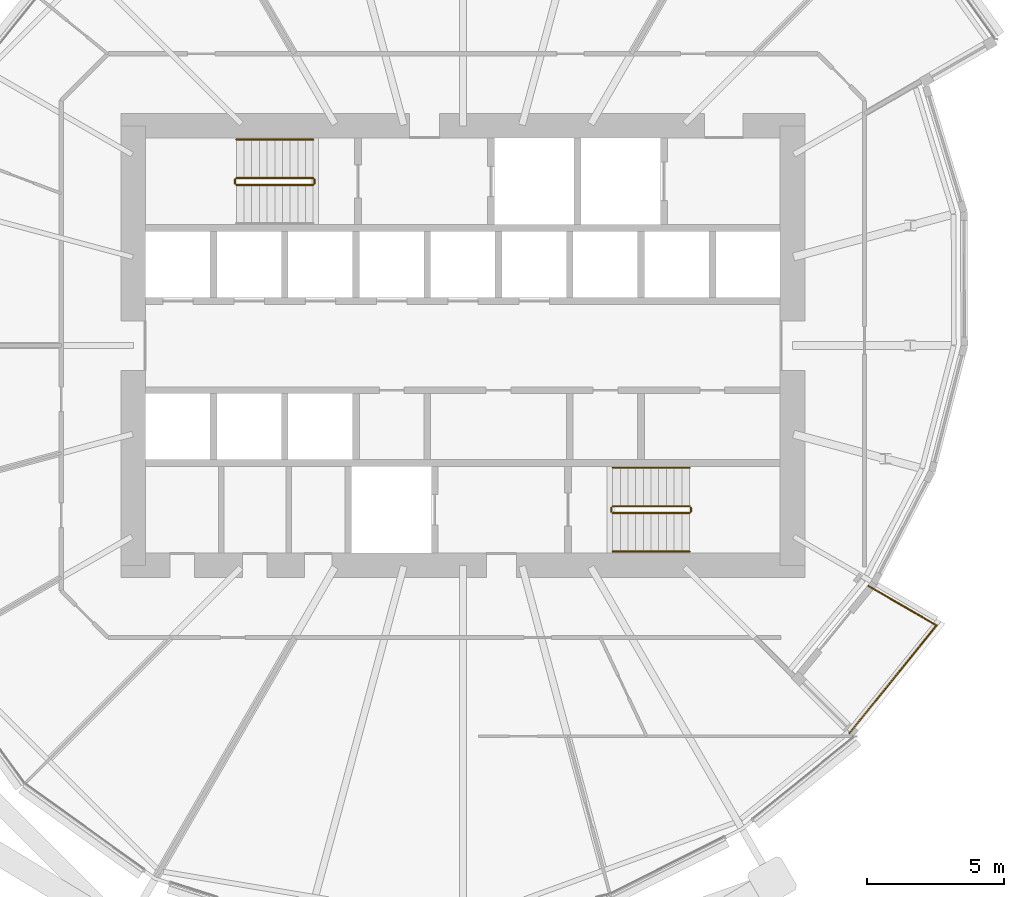
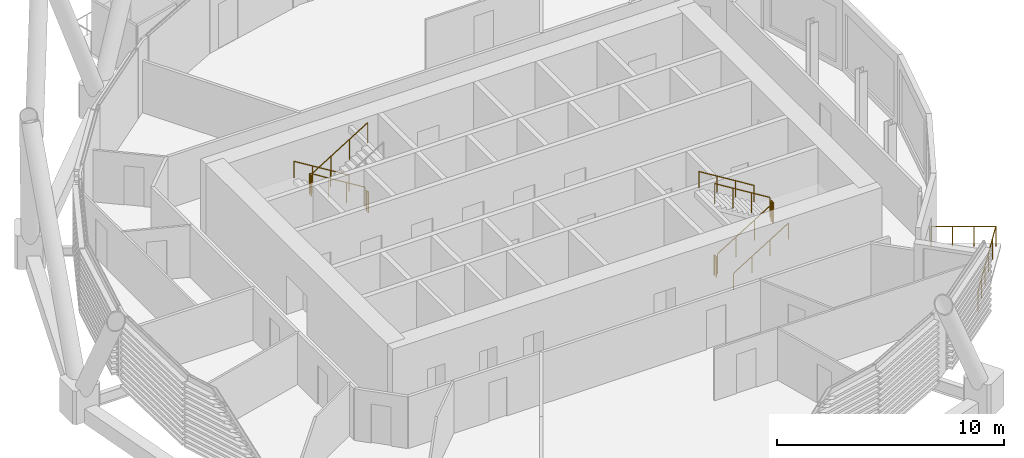
# One storey, part 33 of 34: 12 railings.
"""IFC4 building model written with IfcOpenShell, lengths in metres."""

from ifc_helpers import new_model, si_unit, direction, frame, origin, origin_2d, place, context, subcontext, project, spatial, circle, extrude, material, type_object, element, save


model = new_model("IFC4")

# Units and contexts
model_context = context("Model", 3, precision=1e-05, world=origin(), true_north=direction((0.0, 1.0)))
body_context = subcontext(model_context, "Body", "Model", "MODEL_VIEW")
ifc_project = project(units=[si_unit("LENGTHUNIT", "METRE"), si_unit("AREAUNIT", "SQUARE_METRE"), si_unit("VOLUMEUNIT", "CUBIC_METRE"), si_unit("PLANEANGLEUNIT", "RADIAN"), si_unit("MASSUNIT", "GRAM", prefix="KILO")], contexts=[model_context])

# Site, building, storey
site_placement = place(None, origin())
site = spatial("IfcSite", under=ifc_project, at=site_placement, CompositionType="ELEMENT")
building_placement = place(site_placement, origin())
building = spatial("IfcBuilding", under=site, at=building_placement, Name="Rimbun Link Towers", CompositionType="ELEMENT")
storey_placement = place(building_placement, frame((0.0, 0.0, 41.39990234375)))
storey = spatial("IfcBuildingStorey", under=building, at=storey_placement, Name="L09", CompositionType="ELEMENT", Elevation=41.39990234375)

# Railings
ifc_material_1 = material(Name="Stainless steel grade 316", Category="steel")
railing_type_1 = type_object("IfcRailingType", Name="GUARD stainless rail and posts", PredefinedType="GUARDRAIL", material=ifc_material_1)
railing_1_placement = place(storey_placement, frame((45.826171875, -14.10595703125, 0.0)))
element("IfcRailing", 1, at=railing_1_placement, inside=storey, type_object=railing_type_1, Name="GUARD", PredefinedType="GUARDRAIL", context=body_context, shape_type="SweptSolid", body=[
    extrude(circle(Radius=0.02392578125, at=origin_2d()), frame((0.0, 0.0, 1.076171875), z_axis=(0.629150848284, 0.777283223866, 0.0), x_axis=(-0.777283223866, 0.629150848284, 0.0)), (0.0, 0.0, 1.0), 5.0400390625),
    extrude(circle(Radius=0.02392578125, at=origin_2d()), frame((3.1708984375, 3.91748046875, 1.076171875), z_axis=(-0.866038050133, 0.499978095242, 0.0), x_axis=(-0.499978095242, -0.866038050133, 0.0)), (0.0, 0.0, 1.0), 2.865966796875),
    extrude(circle(Radius=0.02099609375, at=origin_2d()), origin(), (0.0, 0.0, 1.0), 1.052001953125),
    extrude(circle(Radius=0.02099609375, at=origin_2d()), frame((0.63427734375, 0.783447265625, 0.0)), (0.0, 0.0, 1.0), 1.052001953125),
    extrude(circle(Radius=0.02099609375, at=origin_2d()), frame((1.268310546875, 1.56689453125, 0.0)), (0.0, 0.0, 1.0), 1.052001953125),
    extrude(circle(Radius=0.02099609375, at=origin_2d()), frame((1.902587890625, 2.3505859375, 0.0)), (0.0, 0.0, 1.0), 1.052001953125),
    extrude(circle(Radius=0.02099609375, at=origin_2d()), frame((2.53662109375, 3.134033203125, 0.0)), (0.0, 0.0, 1.0), 1.052001953125),
    extrude(circle(Radius=0.02099609375, at=origin_2d()), frame((3.1708984375, 3.91748046875, 0.0)), (0.0, 0.0, 1.0), 1.052001953125),
    extrude(circle(Radius=0.02099609375, at=origin_2d()), frame((2.343505859375, 4.39501953125, 0.0)), (0.0, 0.0, 1.0), 1.052001953125),
    extrude(circle(Radius=0.02099609375, at=origin_2d()), frame((1.516357421875, 4.872802734375, 0.0)), (0.0, 0.0, 1.0), 1.052001953125),
    extrude(circle(Radius=0.02099609375, at=origin_2d()), frame((0.68896484375, 5.350341796875, 0.0)), (0.0, 0.0, 1.0), 1.052001953125),
])
ifc_material_2 = material(Name="Stainless steel grade 316", Category="steel")
railing_type_2 = type_object("IfcRailingType", Name="Stair guard", PredefinedType="GUARDRAIL", material=ifc_material_2)
railing_2_placement = place(storey_placement, frame((26.300048828125, 6.10009765625, 0.1728515625)))
element("IfcRailing", 2, at=railing_2_placement, inside=storey, type_object=railing_type_2, Name="L09 ST3 stair guard 1", PredefinedType="GUARDRAIL", context=body_context, shape_type="SweptSolid", body=[
    extrude(circle(Radius=0.02392578125, at=origin_2d()), frame((0.0, 0.0, 1.076171875), z_axis=(-0.851089632645, 0.0, 0.525020415988), x_axis=(0.0, -1.0, 0.0)), (0.0, 0.0, 1.0), 3.2900390625),
    extrude(circle(Radius=0.02099609375, at=origin_2d()), origin(), (0.0, 0.0, 1.0), 1.052001953125),
    extrude(circle(Radius=0.02099609375, at=origin_2d()), frame((-0.933349609375, 0.0, 0.57568359375)), (0.0, 0.0, 1.0), 1.052001953125),
    extrude(circle(Radius=0.02099609375, at=origin_2d()), frame((-1.86669921875, 0.0, 1.151611328125)), (0.0, 0.0, 1.0), 1.052001953125),
    extrude(circle(Radius=0.02099609375, at=origin_2d()), frame((-2.800048828125, 0.0, 1.727294921875)), (0.0, 0.0, 1.0), 1.052001953125),
])
railing_3_placement = place(storey_placement, frame((23.449951171875, 6.050048828125, 1.900146484375)))
element("IfcRailing", 3, at=railing_3_placement, inside=storey, type_object=railing_type_2, Name="L09 ST3 stair guard 2", PredefinedType="GUARDRAIL", context=body_context, shape_type="SweptSolid", body=[
    extrude(circle(Radius=0.02392578125, at=origin_2d()), frame((0.0, 0.0, 1.076171875), z_axis=(0.0, -1.0, 0.0), x_axis=(1.0, 0.0, 0.0)), (0.0, 0.0, 1.0), 0.150146484375),
    extrude(circle(Radius=0.02099609375, at=origin_2d()), origin(), (0.0, 0.0, 1.0), 1.052001953125),
    extrude(circle(Radius=0.02099609375, at=origin_2d()), frame((0.0, -0.150146484375, 0.0)), (0.0, 0.0, 1.0), 1.052001953125),
])
railing_4_placement = place(storey_placement, frame((23.5, 5.85009765625, 2.07275390625)))
element("IfcRailing", 4, at=railing_4_placement, inside=storey, type_object=railing_type_2, Name="L09 ST3 stair guard 3", PredefinedType="GUARDRAIL", context=body_context, shape_type="SweptSolid", body=[
    extrude(circle(Radius=0.02392578125, at=origin_2d()), frame((0.0, 0.0, 1.076171875), z_axis=(0.851089632645, 0.0, 0.525020415988), x_axis=(0.0, 1.0, 0.0)), (0.0, 0.0, 1.0), 3.2900390625),
    extrude(circle(Radius=0.02099609375, at=origin_2d()), origin(), (0.0, 0.0, 1.0), 1.052001953125),
    extrude(circle(Radius=0.02099609375, at=origin_2d()), frame((0.933349609375, 0.0, 0.57568359375)), (0.0, 0.0, 1.0), 1.052001953125),
    extrude(circle(Radius=0.02099609375, at=origin_2d()), frame((1.86669921875, 0.0, 1.151611328125)), (0.0, 0.0, 1.0), 1.052001953125),
    extrude(circle(Radius=0.02099609375, at=origin_2d()), frame((2.800048828125, 0.0, 1.727294921875)), (0.0, 0.0, 1.0), 1.052001953125),
])
railing_5_placement = place(storey_placement, frame((26.35009765625, 6.050048828125, 0.0)))
element("IfcRailing", 5, at=railing_5_placement, inside=storey, type_object=railing_type_2, Name="L09 ST3 stair guard 4", PredefinedType="GUARDRAIL", context=body_context, shape_type="SweptSolid", body=[
    extrude(circle(Radius=0.02392578125, at=origin_2d()), frame((0.0, 0.0, 1.076171875), z_axis=(0.0, -1.0, 0.0), x_axis=(1.0, 0.0, 0.0)), (0.0, 0.0, 1.0), 0.150146484375),
    extrude(circle(Radius=0.02099609375, at=origin_2d()), origin(), (0.0, 0.0, 1.0), 1.052001953125),
    extrude(circle(Radius=0.02099609375, at=origin_2d()), frame((0.0, -0.150146484375, 0.0)), (0.0, 0.0, 1.0), 1.052001953125),
])
railing_6_placement = place(storey_placement, frame((37.199951171875, -6.10009765625, 0.1728515625)))
element("IfcRailing", 6, at=railing_6_placement, inside=storey, type_object=railing_type_2, Name="L09 ST4 stair guard 1", PredefinedType="GUARDRAIL", context=body_context, shape_type="SweptSolid", body=[
    extrude(circle(Radius=0.02392578125, at=origin_2d()), frame((0.0, 0.0, 1.076171875), z_axis=(0.851089632645, 0.0, 0.525020415988), x_axis=(0.0, 1.0, 0.0)), (0.0, 0.0, 1.0), 3.2900390625),
    extrude(circle(Radius=0.02099609375, at=origin_2d()), origin(), (0.0, 0.0, 1.0), 1.052001953125),
    extrude(circle(Radius=0.02099609375, at=origin_2d()), frame((0.933349609375, 0.0, 0.57568359375)), (0.0, 0.0, 1.0), 1.052001953125),
    extrude(circle(Radius=0.02099609375, at=origin_2d()), frame((1.86669921875, 0.0, 1.151611328125)), (0.0, 0.0, 1.0), 1.052001953125),
    extrude(circle(Radius=0.02099609375, at=origin_2d()), frame((2.800048828125, 0.0, 1.727294921875)), (0.0, 0.0, 1.0), 1.052001953125),
])
railing_7_placement = place(storey_placement, frame((40.050048828125, -6.050048828125, 1.900146484375)))
element("IfcRailing", 7, at=railing_7_placement, inside=storey, type_object=railing_type_2, Name="L09 ST4 stair guard 2", PredefinedType="GUARDRAIL", context=body_context, shape_type="SweptSolid", body=[
    extrude(circle(Radius=0.02392578125, at=origin_2d()), frame((0.0, 0.0, 1.076171875), z_axis=(0.0, 1.0, 0.0), x_axis=(-1.0, 0.0, 0.0)), (0.0, 0.0, 1.0), 0.150146484375),
    extrude(circle(Radius=0.02099609375, at=origin_2d()), origin(), (0.0, 0.0, 1.0), 1.052001953125),
    extrude(circle(Radius=0.02099609375, at=origin_2d()), frame((0.0, 0.150146484375, 0.0)), (0.0, 0.0, 1.0), 1.052001953125),
])
railing_8_placement = place(storey_placement, frame((40.0, -5.85009765625, 2.07275390625)))
element("IfcRailing", 8, at=railing_8_placement, inside=storey, type_object=railing_type_2, Name="L09 ST4 stair guard 3", PredefinedType="GUARDRAIL", context=body_context, shape_type="SweptSolid", body=[
    extrude(circle(Radius=0.02392578125, at=origin_2d()), frame((0.0, 0.0, 1.076171875), z_axis=(-0.851089632645, 0.0, 0.525020415988), x_axis=(0.0, -1.0, 0.0)), (0.0, 0.0, 1.0), 3.2900390625),
    extrude(circle(Radius=0.02099609375, at=origin_2d()), origin(), (0.0, 0.0, 1.0), 1.052001953125),
    extrude(circle(Radius=0.02099609375, at=origin_2d()), frame((-0.933349609375, 0.0, 0.57568359375)), (0.0, 0.0, 1.0), 1.052001953125),
    extrude(circle(Radius=0.02099609375, at=origin_2d()), frame((-1.86669921875, 0.0, 1.151611328125)), (0.0, 0.0, 1.0), 1.052001953125),
    extrude(circle(Radius=0.02099609375, at=origin_2d()), frame((-2.800048828125, 0.0, 1.727294921875)), (0.0, 0.0, 1.0), 1.052001953125),
])
railing_9_placement = place(storey_placement, frame((37.14990234375, -6.050048828125, 0.0)))
element("IfcRailing", 9, at=railing_9_placement, inside=storey, type_object=railing_type_2, Name="L09 ST4 stair guard 4", PredefinedType="GUARDRAIL", context=body_context, shape_type="SweptSolid", body=[
    extrude(circle(Radius=0.02392578125, at=origin_2d()), frame((0.0, 0.0, 1.076171875), z_axis=(0.0, 1.0, 0.0), x_axis=(-1.0, 0.0, 0.0)), (0.0, 0.0, 1.0), 0.150146484375),
    extrude(circle(Radius=0.02099609375, at=origin_2d()), origin(), (0.0, 0.0, 1.0), 1.052001953125),
    extrude(circle(Radius=0.02099609375, at=origin_2d()), frame((0.0, 0.150146484375, 0.0)), (0.0, 0.0, 1.0), 1.052001953125),
])
ifc_material_3 = material(Name="Stainless steel grade 316", Category="steel")
railing_type_3 = type_object("IfcRailingType", Name="Stair handrail", PredefinedType="HANDRAIL", material=ifc_material_3)
railing_10_placement = place(storey_placement, frame((26.300048828125, 7.5, 0.1728515625)))
element("IfcRailing", 10, at=railing_10_placement, inside=storey, type_object=railing_type_3, Name="L09 ST3 stair handrail 1", PredefinedType="HANDRAIL", context=body_context, shape_type="SweptSolid", body=[
    extrude(circle(Radius=0.02392578125, at=origin_2d()), frame((0.0, 0.0, 0.8759765625), z_axis=(-0.851089632645, 0.0, 0.525020415988), x_axis=(0.0, -1.0, 0.0)), (0.0, 0.0, 1.0), 3.2900390625),
    extrude(circle(Radius=0.02099609375, at=origin_2d()), origin(), (0.0, 0.0, 1.0), 0.851806640625),
    extrude(circle(Radius=0.02099609375, at=origin_2d()), frame((-0.933349609375, 0.0, 0.57568359375)), (0.0, 0.0, 1.0), 0.851806640625),
    extrude(circle(Radius=0.02099609375, at=origin_2d()), frame((-1.86669921875, 0.0, 1.151611328125)), (0.0, 0.0, 1.0), 0.851806640625),
    extrude(circle(Radius=0.02099609375, at=origin_2d()), frame((-2.800048828125, 0.0, 1.727294921875)), (0.0, 0.0, 1.0), 0.851806640625),
])
railing_11_placement = place(storey_placement, frame((37.199951171875, -7.5, 0.1728515625)))
element("IfcRailing", 11, at=railing_11_placement, inside=storey, type_object=railing_type_3, Name="L09 ST4 stair handrail 1", PredefinedType="HANDRAIL", context=body_context, shape_type="SweptSolid", body=[
    extrude(circle(Radius=0.02392578125, at=origin_2d()), frame((0.0, 0.0, 0.8759765625), z_axis=(0.851089632645, 0.0, 0.525020415988), x_axis=(0.0, 1.0, 0.0)), (0.0, 0.0, 1.0), 3.2900390625),
    extrude(circle(Radius=0.02099609375, at=origin_2d()), origin(), (0.0, 0.0, 1.0), 0.851806640625),
    extrude(circle(Radius=0.02099609375, at=origin_2d()), frame((0.933349609375, 0.0, 0.57568359375)), (0.0, 0.0, 1.0), 0.851806640625),
    extrude(circle(Radius=0.02099609375, at=origin_2d()), frame((1.86669921875, 0.0, 1.151611328125)), (0.0, 0.0, 1.0), 0.851806640625),
    extrude(circle(Radius=0.02099609375, at=origin_2d()), frame((2.800048828125, 0.0, 1.727294921875)), (0.0, 0.0, 1.0), 0.851806640625),
])
railing_12_placement = place(storey_placement, frame((40.0, -4.449951171875, 2.07275390625)))
element("IfcRailing", 12, at=railing_12_placement, inside=storey, type_object=railing_type_3, Name="L09 ST4 stair handrail 2", PredefinedType="HANDRAIL", context=body_context, shape_type="SweptSolid", body=[
    extrude(circle(Radius=0.02392578125, at=origin_2d()), frame((0.0, 0.0, 0.8759765625), z_axis=(-0.851089632645, 0.0, 0.525020415988), x_axis=(0.0, -1.0, 0.0)), (0.0, 0.0, 1.0), 3.2900390625),
    extrude(circle(Radius=0.02099609375, at=origin_2d()), origin(), (0.0, 0.0, 1.0), 0.851806640625),
    extrude(circle(Radius=0.02099609375, at=origin_2d()), frame((-0.933349609375, 0.0, 0.57568359375)), (0.0, 0.0, 1.0), 0.851806640625),
    extrude(circle(Radius=0.02099609375, at=origin_2d()), frame((-1.86669921875, 0.0, 1.151611328125)), (0.0, 0.0, 1.0), 0.851806640625),
    extrude(circle(Radius=0.02099609375, at=origin_2d()), frame((-2.800048828125, 0.0, 1.727294921875)), (0.0, 0.0, 1.0), 0.851806640625),
])

save(model, "model.ifc")
